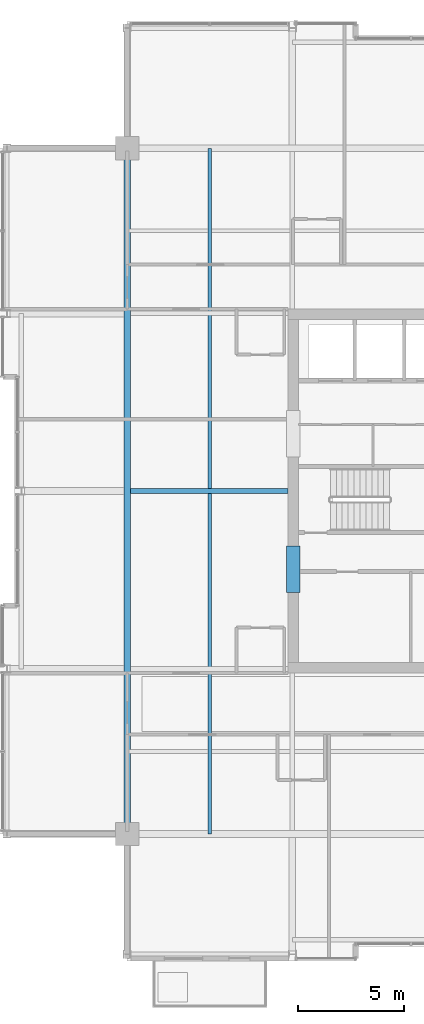
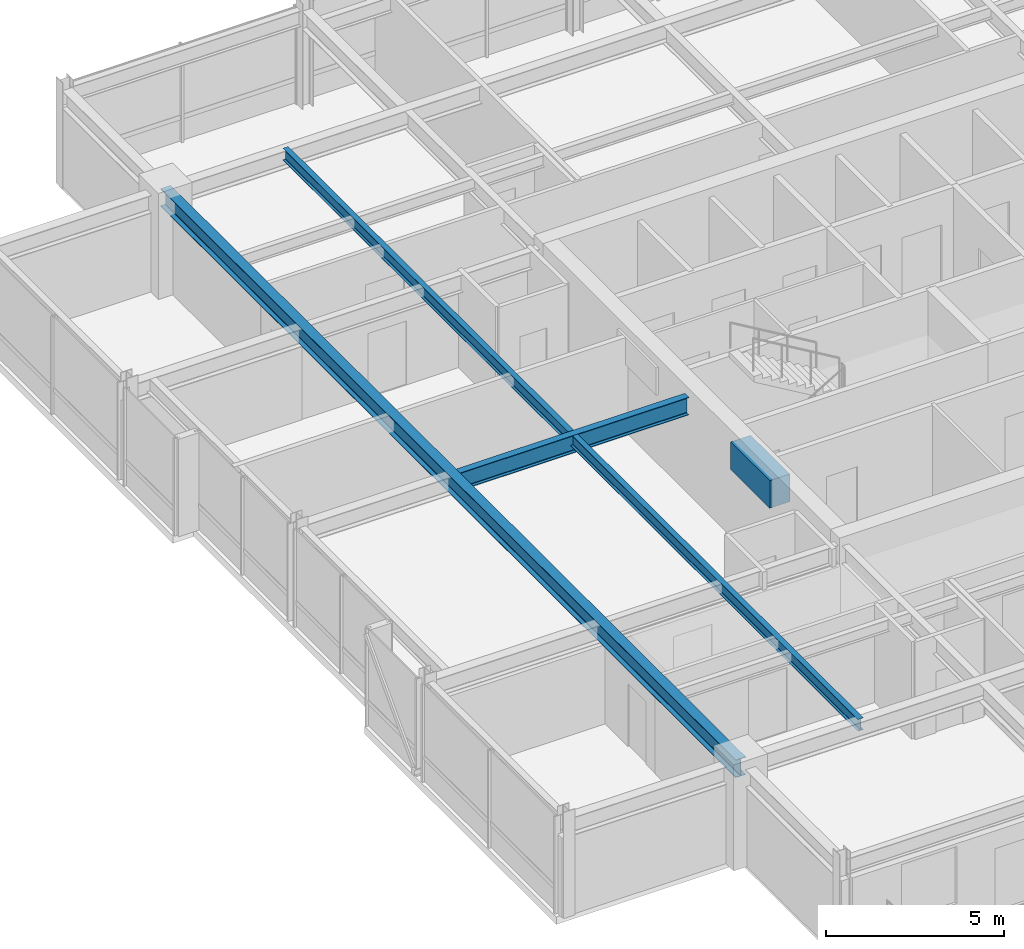
# One storey, part 12 of 34: 4 beams.
"""IFC4 building model written with IfcOpenShell, lengths in metres."""

from ifc_helpers import new_model, si_unit, direction, frame, origin, origin_2d, place, context, subcontext, project, spatial, rectangle, i_section, extrude, material, material_profile, profile_set, type_object, element, save


model = new_model("IFC4")

# Units and contexts
model_context = context("Model", 3, precision=1e-05, world=origin(), true_north=direction((0.0, 1.0)))
body_context = subcontext(model_context, "Body", "Model", "MODEL_VIEW")
ifc_project = project(units=[si_unit("LENGTHUNIT", "METRE"), si_unit("AREAUNIT", "SQUARE_METRE"), si_unit("VOLUMEUNIT", "CUBIC_METRE"), si_unit("PLANEANGLEUNIT", "RADIAN"), si_unit("MASSUNIT", "GRAM", prefix="KILO")], contexts=[model_context])

# Site, building, storey
site_placement = place(None, origin())
site = spatial("IfcSite", under=ifc_project, at=site_placement, CompositionType="ELEMENT")
building_placement = place(site_placement, origin())
building = spatial("IfcBuilding", under=site, at=building_placement, Name="Drelvath Grand Hotel", CompositionType="ELEMENT")
storey_placement = place(building_placement, frame((0.0, 0.0, 290.550048828125)))
storey = spatial("IfcBuildingStorey", under=building, at=storey_placement, Name="L76", CompositionType="ELEMENT", Elevation=290.550048828125)

# Beams
ifc_material_1 = material(Name="Steel ASTM A992 Gr 50", Category="steel")
ifc_material_profile_1 = material_profile(ifc_material_1, i_section(OverallWidth=0.177734375, OverallDepth=0.40673828125, WebThickness=0.0078125, FlangeThickness=0.0126953125, FilletRadius=0.014892578125, at=origin_2d()), Name="W16X40")
ifc_profile_set_1 = profile_set([ifc_material_profile_1], Name="Steel ASTM A992 Gr 50")
beam_type_1 = type_object("IfcBeamType", Name="Composite Floor Joist W16X40", PredefinedType="JOIST", material=ifc_profile_set_1)
beam_1_placement = place(storey_placement, frame((-12.300048828125, 10.800048828125, 3.146484375), z_axis=(0.0, 1.0, 0.0), x_axis=(-1.0, 0.0, 0.0)))
element("IfcBeam", 1, at=beam_1_placement, inside=storey, type_object=beam_type_1, Name="L76 Wing Floor Joist J3", PredefinedType="JOIST", context=body_context, shape_type="SweptSolid", body=[
    extrude(i_section(OverallWidth=0.177734375, OverallDepth=0.40673828125, WebThickness=0.0078125, FlangeThickness=0.0126953125, FilletRadius=0.014892578125, at=origin_2d()), origin(), (0.0, 0.0, 1.0), 32.39990234375),
])
ifc_material_2 = material(Name="Concrete f'c 55 MPa", Category="concrete")
ifc_material_profile_2 = material_profile(ifc_material_2, rectangle(XDim=0.64990234375, YDim=0.949951171875, at=origin_2d()), Name="CB650X950")
ifc_profile_set_2 = profile_set([ifc_material_profile_2], Name="Concrete f'c 55 MPa")
beam_type_2 = type_object("IfcBeamType", Name="Core Coupling Lintel CB650X950", PredefinedType="LINTEL", material=ifc_profile_set_2)
beam_2_placement = place(storey_placement, frame((-8.35009765625, 22.199951171875, 2.875), z_axis=(0.0, 1.0, 0.0), x_axis=(-1.0, 0.0, 0.0)))
element("IfcBeam", 2, at=beam_2_placement, inside=storey, type_object=beam_type_2, Name="L76 Core Coupling Lintel WS", PredefinedType="LINTEL", context=body_context, shape_type="SweptSolid", body=[
    extrude(rectangle(XDim=0.64990234375, YDim=0.949951171875, at=origin_2d()), origin(), (0.0, 0.0, 1.0), 2.199951171875),
])
ifc_material_profile_3 = material_profile(ifc_material_1, i_section(OverallWidth=0.323974609375, OverallDepth=0.611083984375, WebThickness=0.0126953125, FlangeThickness=0.01904296875, FilletRadius=0.02197265625, at=origin_2d()), Name="W24X104")
ifc_profile_set_3 = profile_set([ifc_material_profile_3], Name="Steel ASTM A992 Gr 50")
beam_type_3 = type_object("IfcBeamType", Name="Primary Floor Girder W24X104", PredefinedType="BEAM", material=ifc_profile_set_3)
beam_3_placement = place(storey_placement, frame((-16.199951171875, 10.800048828125, 3.04443359375), z_axis=(0.0, 1.0, 0.0), x_axis=(-1.0, 0.0, 0.0)))
element("IfcBeam", 3, at=beam_3_placement, inside=storey, type_object=beam_type_3, Name="L76 Mega Ring Girder West", PredefinedType="BEAM", context=body_context, shape_type="SweptSolid", body=[
    extrude(i_section(OverallWidth=0.323974609375, OverallDepth=0.611083984375, WebThickness=0.0126953125, FlangeThickness=0.01904296875, FilletRadius=0.02197265625, at=origin_2d()), origin(), (0.0, 0.0, 1.0), 32.39990234375),
])
ifc_material_profile_4 = material_profile(ifc_material_1, i_section(OverallWidth=0.228271484375, OverallDepth=0.607666015625, WebThickness=0.01123046875, FlangeThickness=0.017333984375, FilletRadius=0.02001953125, at=origin_2d()), Name="W24X76")
ifc_profile_set_4 = profile_set([ifc_material_profile_4], Name="Steel ASTM A992 Gr 50")
beam_type_4 = type_object("IfcBeamType", Name="Primary Floor Girder W24X76", PredefinedType="BEAM", material=ifc_profile_set_4)
beam_4_placement = place(storey_placement, frame((-16.0380859375, 27.0, 3.046142578125), z_axis=(1.0, 0.0, 0.0), x_axis=(0.0, 1.0, 0.0)))
element("IfcBeam", 4, at=beam_4_placement, inside=storey, type_object=beam_type_4, Name="L76 West Core Tie E", PredefinedType="BEAM", context=body_context, shape_type="SweptSolid", body=[
    extrude(i_section(OverallWidth=0.228271484375, OverallDepth=0.607666015625, WebThickness=0.01123046875, FlangeThickness=0.017333984375, FilletRadius=0.02001953125, at=origin_2d()), origin(), (0.0, 0.0, 1.0), 7.43798828125),
])

save(model, "model.ifc")
